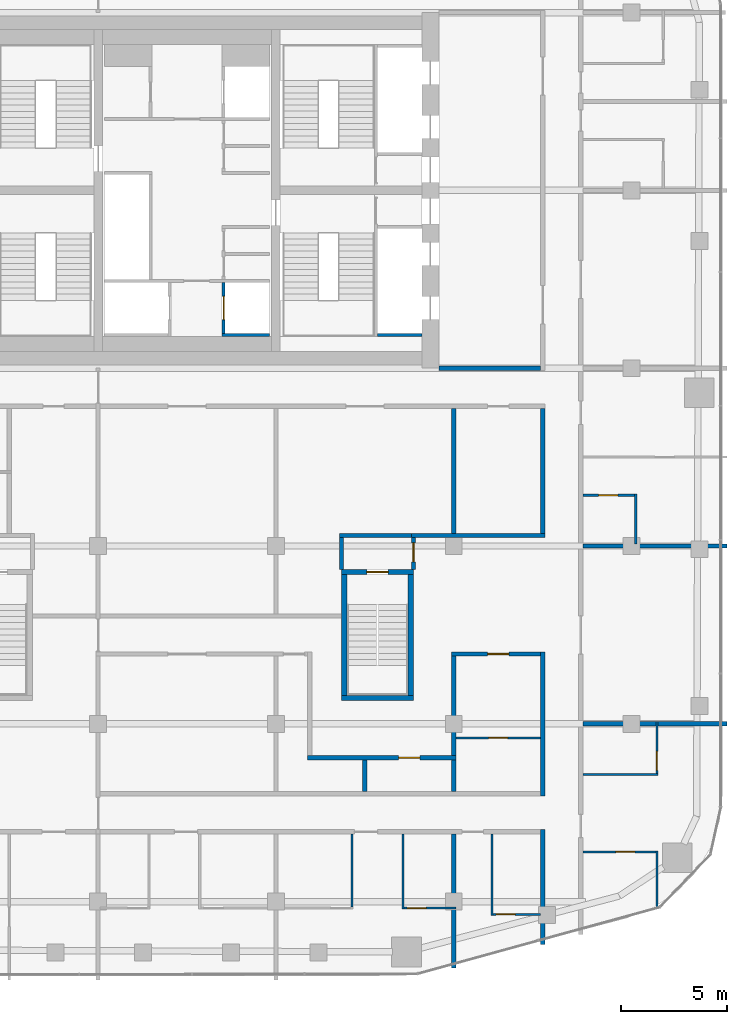
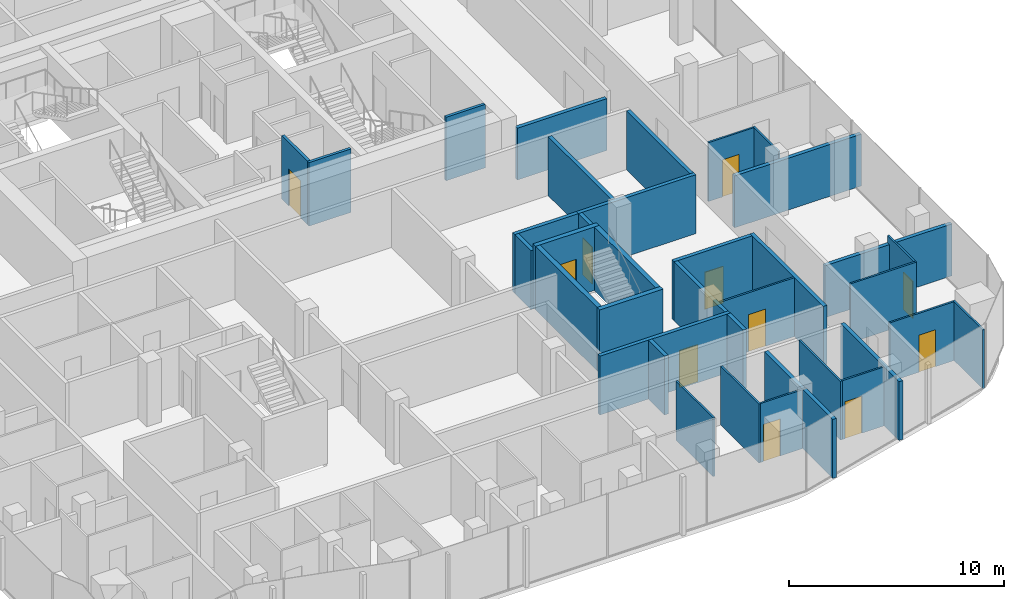
# One storey, part 16 of 21: 36 walls, 11 doors, 11 openings.
"""IFC4 building model written with IfcOpenShell, lengths in metres."""

import ifcopenshell
import ifcopenshell.guid

model = None  # the IFC model being written
_history = None  # IfcOwnerHistory: only IFC2X3 demands one
_inside = {}  # id of a spatial element -> (the spatial element, [elements in it])
_under = {}  # id of a project, library or spatial element -> (it, [spatial elements below it])
_declared = {}  # id of a project -> (the project, [libraries it declares])
_typed = {}  # id of a type object -> (the type object, [elements of that type])
_made_of = {}  # id of a material, layer set ... -> (it, [elements and type objects made of it])


def new_model(schema):
    """Start an empty IFC model of exactly this schema.

    Asked for "IFC4X3", IfcOpenShell would pick the latest addendum, in which some entities
    have other attributes; the version numbers below select the first issue.
    IFC2X3 requires an IfcOwnerHistory on every rooted entity: one is made here for all.
    """
    global model, _history
    if schema == "IFC4X3":
        model = ifcopenshell.file(schema_version=(4, 3, 0, 0))
    else:
        model = ifcopenshell.file(schema=schema)
    _inside.clear()
    _under.clear()
    _declared.clear()
    _typed.clear()
    _made_of.clear()
    _history = None
    if model.schema == "IFC2X3":
        org = make("IfcOrganization", Name="unknown")
        user = make(
            "IfcPersonAndOrganization",
            ThePerson=make("IfcPerson", FamilyName="unknown"),
            TheOrganization=org,
        )
        app = make(
            "IfcApplication",
            ApplicationDeveloper=org,
            Version="unknown",
            ApplicationFullName="unknown",
            ApplicationIdentifier="unknown",
        )
        _history = make(
            "IfcOwnerHistory",
            OwningUser=user,
            OwningApplication=app,
            ChangeAction="ADDED",
            CreationDate=0,
        )
    return model


def make(cls, **values):
    """One entity of the class cls with the attributes given. An attribute that is None is left unset."""
    return model.create_entity(
        cls, **{name: value for name, value in values.items() if value is not None}
    )


def rooted(cls, **values):
    """An entity with a GlobalId (a new one), such as an element, a storey or a relation."""
    return make(cls, GlobalId=ifcopenshell.guid.new(), OwnerHistory=_history, **values)


def si_unit(unit_type, name, prefix=None):
    """IfcSIUnit, for example si_unit("LENGTHUNIT", "METRE", prefix="MILLI")."""
    return make("IfcSIUnit", UnitType=unit_type, Prefix=prefix, Name=name)


def assignment(units):
    """IfcUnitAssignment: the units of a project."""
    return None if units is None else make("IfcUnitAssignment", Units=units)


def point(xyz):
    """IfcCartesianPoint."""
    return None if xyz is None else make("IfcCartesianPoint", Coordinates=xyz)


def direction(xyz):
    """IfcDirection."""
    return None if xyz is None else make("IfcDirection", DirectionRatios=xyz)


def frame(location, z_axis=None, x_axis=None):
    """IfcAxis2Placement3D, a coordinate frame: its origin and axes. An axis left out is left unset."""
    return make(
        "IfcAxis2Placement3D",
        Location=point(location),
        Axis=direction(z_axis),
        RefDirection=direction(x_axis),
    )


def frame_2d(location, x_axis=None):
    """IfcAxis2Placement2D, a coordinate frame in the plane: its origin and x axis."""
    return make(
        "IfcAxis2Placement2D", Location=point(location), RefDirection=direction(x_axis)
    )


def origin():
    """The frame at (0, 0, 0) with its axes left unset."""
    return frame((0.0, 0.0, 0.0))


def place(relative_to, where):
    """IfcLocalPlacement: puts the frame where relative to a parent placement (None: the world)."""
    return make(
        "IfcLocalPlacement", PlacementRelTo=relative_to, RelativePlacement=where
    )


def context(
    kind, dimensions, precision=None, world=None, true_north=None, identifier=None
):
    """IfcGeometricRepresentationContext, for example the 3D "Model" context."""
    return make(
        "IfcGeometricRepresentationContext",
        ContextIdentifier=identifier,
        ContextType=kind,
        CoordinateSpaceDimension=dimensions,
        Precision=precision,
        WorldCoordinateSystem=world,
        TrueNorth=true_north,
    )


def subcontext(parent, identifier, kind, view, scale=None):
    """IfcGeometricRepresentationSubContext, for example "Body" below "Model"."""
    return make(
        "IfcGeometricRepresentationSubContext",
        ContextIdentifier=identifier,
        ContextType=kind,
        ParentContext=parent,
        TargetScale=scale,
        TargetView=view,
    )


def project(units=None, contexts=None):
    """IfcProject with its units and contexts."""
    return rooted(
        "IfcProject",
        Name="project",
        RepresentationContexts=contexts,
        UnitsInContext=assignment(units),
    )


def spatial(cls, under=None, at=None, **own):
    """A site, building, storey or space (cls), placed at a placement, below another one or the project."""
    s = rooted(cls, ObjectPlacement=at, **own)
    if under is not None:
        _under.setdefault(under.id(), (under, []))[1].append(s)
    return s


def profile(cls, at=None, kind="AREA", **sizes):
    """A parametric profile (cls). Its sizes go by their IFC names, for example OverallWidth=200.0."""
    return make(cls, ProfileType=kind, Position=at, **sizes)


def rectangle(**sizes):
    """IfcRectangleProfileDef."""
    return profile("IfcRectangleProfileDef", **sizes)


def extrude(swept, where, along, depth):
    """IfcExtrudedAreaSolid: the profile swept, set in the frame where, extruded along a direction by depth."""
    return make(
        "IfcExtrudedAreaSolid",
        SweptArea=swept,
        Position=where,
        ExtrudedDirection=direction(along),
        Depth=depth,
    )


def shape(context_of_items, identifier, shape_type, items):
    """IfcShapeRepresentation: the items that make up one representation, for example the "Body"."""
    return make(
        "IfcShapeRepresentation",
        ContextOfItems=context_of_items,
        RepresentationIdentifier=identifier,
        RepresentationType=shape_type,
        Items=items,
    )


def material(Name=None, Category=None):
    """IfcMaterial."""
    return make("IfcMaterial", Name=Name, Category=Category)


def layer(
    of_material, thickness, ventilated=None, Name=None, Category=None, Priority=None
):
    """IfcMaterialLayer: one layer of a wall or slab, of a material (None: an air gap)."""
    return make(
        "IfcMaterialLayer",
        Material=of_material,
        LayerThickness=thickness,
        IsVentilated=ventilated,
        Name=Name,
        Category=Category,
        Priority=Priority,
    )


def layer_set(layers, Name=None):
    """IfcMaterialLayerSet."""
    return make("IfcMaterialLayerSet", MaterialLayers=layers, LayerSetName=Name)


def made_of(thing, what):
    """Note that an element or type object is made of a material, layer set ...; save() writes the relation."""
    if what is not None:
        _made_of.setdefault(what.id(), (what, []))[1].append(thing)
    return thing


def type_object(cls, material=None, **own):
    """A type object (cls), such as IfcWallType, which elements share."""
    return made_of(rooted(cls, **own), material)


def element(
    cls,
    number,
    at=None,
    inside=None,
    cuts=None,
    type_object=None,
    material=None,
    context=None,
    identifier="Body",
    shape_type=None,
    held_by="IfcProductDefinitionShape",
    body=None,
    shapes=None,
    **own,
):
    """One element of the class cls, such as IfcWall. Its Tag is "e" and its number.

    at: its placement. inside: the storey or other place that contains it. cuts: it is an
    opening in that element (IfcRelVoidsElement). A single representation is given by context,
    identifier, shape_type and body (its items); several are given by shapes. held_by: the class
    of the entity that holds the representations. save() writes the other relations.
    """
    e = rooted(cls, Tag="e%d" % number, ObjectPlacement=at, **own)
    if body is not None:
        shapes = [shape(context, identifier, shape_type, body)]
    if shapes is not None:
        e.Representation = make(held_by, Representations=shapes)
    if inside is not None:
        _inside.setdefault(inside.id(), (inside, []))[1].append(e)
    if cuts is not None:
        rooted(
            "IfcRelVoidsElement", RelatingBuildingElement=cuts, RelatedOpeningElement=e
        )
    if type_object is not None:
        _typed.setdefault(type_object.id(), (type_object, []))[1].append(e)
    return made_of(e, material)


def fill(opening, filler):
    """IfcRelFillsElement: the door or window that sits in an opening."""
    return rooted(
        "IfcRelFillsElement",
        RelatingOpeningElement=opening,
        RelatedBuildingElement=filler,
    )


def aggregate(whole, parts):
    """IfcRelAggregates: a whole, such as a stair, and the parts it consists of."""
    return rooted("IfcRelAggregates", RelatingObject=whole, RelatedObjects=parts)


def save(model, path):
    """Write the relations noted so far, then the file.

    IfcRelAggregates (storeys below a building ...), IfcRelContainedInSpatialStructure (elements
    in a storey), IfcRelDefinesByType, IfcRelAssociatesMaterial and IfcRelDeclares: one each for
    every whole, place, type object, material and project.
    """
    for whole, parts in _under.values():
        aggregate(whole, parts)
    for where, things in _inside.values():
        rooted(
            "IfcRelContainedInSpatialStructure",
            RelatedElements=things,
            RelatingStructure=where,
        )
    for kind, things in _typed.values():
        rooted("IfcRelDefinesByType", RelatedObjects=things, RelatingType=kind)
    for what, things in _made_of.values():
        rooted("IfcRelAssociatesMaterial", RelatedObjects=things, RelatingMaterial=what)
    for by, libraries in _declared.values():
        rooted("IfcRelDeclares", RelatingContext=by, RelatedDefinitions=libraries)
    model.write(path)


model = new_model("IFC4")

# Units and contexts
model_context = context("Model", 3, precision=1e-05, world=origin(), true_north=direction((0.0, 1.0)))
body_context = subcontext(model_context, "Body", "Model", "MODEL_VIEW")
ifc_project = project(units=[si_unit("LENGTHUNIT", "METRE"), si_unit("AREAUNIT", "SQUARE_METRE"), si_unit("VOLUMEUNIT", "CUBIC_METRE"), si_unit("PLANEANGLEUNIT", "RADIAN"), si_unit("MASSUNIT", "GRAM", prefix="KILO")], contexts=[model_context])

# Site, building, storey
site_placement = place(None, origin())
site = spatial("IfcSite", under=ifc_project, at=site_placement, CompositionType="ELEMENT")
building_placement = place(site_placement, origin())
building = spatial("IfcBuilding", under=site, at=building_placement, Name="Marenta Gate Hotel Tower", CompositionType="ELEMENT")
storey_placement = place(building_placement, frame((0.0, 0.0, 202.10009765625)))
storey = spatial("IfcBuildingStorey", under=building, at=storey_placement, Name="L46", CompositionType="ELEMENT", Elevation=202.10009765625)

# Walls
ifc_material_1 = material(Name="Concrete blockwork", Category="masonry")
ifc_layer_1 = layer(ifc_material_1, 0.199951171875)
ifc_layer_set_1 = layer_set([ifc_layer_1], Name="Concrete blockwork")
wall_type_1 = type_object("IfcWallType", Name="Core boundary wall 200 REI 180", PredefinedType="PARTITIONING", material=ifc_layer_set_1)
wall_1_placement = place(storey_placement, frame((11.89990234375, 0.0, 0.0), z_axis=(0.0, 0.0, 1.0), x_axis=(1.0, 0.0, 0.0)))
element("IfcWall", 1, at=wall_1_placement, inside=storey, type_object=wall_type_1, Name="L46-CP-EW-ES", PredefinedType="PARTITIONING", context=body_context, shape_type="SweptSolid", body=[
    extrude(rectangle(XDim=4.800048828125, YDim=0.199951171875, at=frame_2d((2.39990234375, 0.0))), origin(), (0.0, 0.0, 1.0), 2.93994140625),
])
ifc_material_2 = material(Name="Concrete C40", Category="concrete")
ifc_layer_2 = layer(ifc_material_2, 0.14990234375)
ifc_layer_set_2 = layer_set([ifc_layer_2], Name="Concrete C40")
wall_type_2 = type_object("IfcWallType", Name="Core shaft wall 150 REI 180", PredefinedType="SHEAR", material=ifc_layer_set_2)
wall_2_placement = place(storey_placement, frame((9.0, 1.574951171875, 0.0), z_axis=(0.0, 0.0, 1.0), x_axis=(1.0, 0.0, 0.0)))
element("IfcWall", 2, at=wall_2_placement, inside=storey, type_object=wall_type_2, Name="L46-SHF-SW-ES-5", PredefinedType="SHEAR", context=body_context, shape_type="SweptSolid", body=[
    extrude(rectangle(XDim=2.10009765625, YDim=0.14990234375, at=frame_2d((1.050048828125, 0.0))), origin(), (0.0, 0.0, 1.0), 3.599853515625),
])

# Wall, opening, door
wall_3_placement = place(storey_placement, frame((1.72509765625, 1.64990234375, 0.0), z_axis=(0.0, 0.0, 1.0), x_axis=(0.0, 1.0, 0.0)))
wall_3 = element("IfcWall", 3, at=wall_3_placement, inside=storey, type_object=wall_type_2, Name="L46-SHF-CE-S-ls", PredefinedType="SHEAR", context=body_context, shape_type="SweptSolid", body=[
    extrude(rectangle(XDim=2.400146484375, YDim=0.14990234375, at=frame_2d((1.2001953125, 0.0))), origin(), (0.0, 0.0, 1.0), 3.599853515625),
])
opening_1_placement = place(wall_3_placement, frame((0.64990234375, 0.0, 0.0)))
opening_1 = element("IfcOpeningElement", 4, at=opening_1_placement, cuts=wall_3, Name="Opening LD-SV1", PredefinedType="OPENING", context=body_context, shape_type="SweptSolid", body=[
    extrude(rectangle(XDim=1.10009765625, YDim=2.10009765625, at=frame_2d((0.550048828125, 1.050048828125))), frame((0.0, 0.074951171875, 0.0), z_axis=(0.0, -1.0, 0.0), x_axis=(1.0, 0.0, 0.0)), (0.0, 0.0, 1.0), 0.14990234375),
])
ifc_material_3 = material(Name="Steel", Category="steel")
door_type_1 = type_object("IfcDoorType", Name="Core lift landing door 1100x2100 E 60", OperationType="SLIDING_TO_LEFT", PredefinedType="DOOR", material=ifc_material_3)
door_1_placement = place(opening_1_placement, origin())
door_1 = element("IfcDoor", 5, at=door_1_placement, inside=storey, type_object=door_type_1, Name="LD-SV1", OperationType="SLIDING_TO_LEFT", OverallHeight=2.10009765625, OverallWidth=1.10009765625, PredefinedType="DOOR", context=body_context, shape_type="SweptSolid", body=[
    extrude(rectangle(XDim=1.10009765625, YDim=2.10009765625, at=frame_2d((0.550048828125, 1.050048828125))), frame((0.0, 0.02490234375, 0.0), z_axis=(0.0, -1.0, 0.0), x_axis=(1.0, 0.0, 0.0)), (0.0, 0.0, 1.0), 0.050048828125),
])
fill(opening_1, door_1)

# Walls
wall_4_placement = place(storey_placement, frame((1.64990234375, 1.574951171875, 0.0), z_axis=(0.0, 0.0, 1.0), x_axis=(1.0, 0.0, 0.0)))
element("IfcWall", 6, at=wall_4_placement, inside=storey, type_object=wall_type_2, Name="L46-SHF-CE-S-bot", PredefinedType="SHEAR", context=body_context, shape_type="SweptSolid", body=[
    extrude(rectangle(XDim=2.25, YDim=0.14990234375, at=frame_2d((1.125, 0.0))), origin(), (0.0, 0.0, 1.0), 3.599853515625),
])
ifc_material_4 = material(Name="Concrete C40", Category="concrete")
ifc_layer_3 = layer(ifc_material_4, 0.25)
ifc_layer_set_3 = layer_set([ifc_layer_3], Name="Concrete C40")
wall_type_3 = type_object("IfcWallType", Name="Remote stair enclosure wall 250 REI 180", PredefinedType="SHEAR", material=ifc_layer_set_3)
wall_5_placement = place(storey_placement, frame((7.300048828125, -15.574951171875, 0.099853515625), z_axis=(0.0, 0.0, 1.0), x_axis=(1.0, 0.0, 0.0)))
element("IfcWall", 7, at=wall_5_placement, inside=storey, type_object=wall_type_3, Name="L46-RS-Z3-2-W1", PredefinedType="SHEAR", context=body_context, shape_type="SweptSolid", body=[
    extrude(rectangle(XDim=3.39990234375, YDim=0.25, at=frame_2d((1.699951171875, 0.0))), origin(), (0.0, 0.0, 1.0), 3.60009765625),
])

# Wall, opening, door
wall_6_placement = place(storey_placement, frame((7.300048828125, -9.625, 0.099853515625), z_axis=(0.0, 0.0, 1.0), x_axis=(1.0, 0.0, 0.0)))
wall_6 = element("IfcWall", 8, at=wall_6_placement, inside=storey, type_object=wall_type_3, Name="L46-RS-Z3-2-W2", PredefinedType="SHEAR", context=body_context, shape_type="SweptSolid", body=[
    extrude(rectangle(XDim=3.39990234375, YDim=0.25, at=frame_2d((1.699951171875, 0.0))), origin(), (0.0, 0.0, 1.0), 3.60009765625),
])
opening_2_placement = place(wall_6_placement, frame((1.199951171875, 0.0, 0.0)))
opening_2 = element("IfcOpeningElement", 9, at=opening_2_placement, cuts=wall_6, Name="Opening VD", PredefinedType="OPENING", context=body_context, shape_type="SweptSolid", body=[
    extrude(rectangle(XDim=1.0, YDim=2.10009765625, at=frame_2d((0.5, 1.050048828125))), frame((0.0, 0.125, 0.0), z_axis=(0.0, -1.0, 0.0), x_axis=(1.0, 0.0, 0.0)), (0.0, 0.0, 1.0), 0.25),
])
ifc_material_5 = material(Name="Steel", Category="steel")
door_type_2 = type_object("IfcDoorType", Name="Stair vestibule door 1000x2100 FD60", OperationType="SINGLE_SWING_LEFT", PredefinedType="DOOR", material=ifc_material_5)
door_2_placement = place(opening_2_placement, origin())
door_2 = element("IfcDoor", 10, at=door_2_placement, inside=storey, type_object=door_type_2, Name="VD", OperationType="SINGLE_SWING_LEFT", OverallHeight=2.10009765625, OverallWidth=1.0, PredefinedType="DOOR", context=body_context, shape_type="SweptSolid", body=[
    extrude(rectangle(XDim=1.0, YDim=2.10009765625, at=frame_2d((0.5, 1.050048828125))), frame((0.0, 0.02490234375, 0.0), z_axis=(0.0, -1.0, 0.0), x_axis=(1.0, 0.0, 0.0)), (0.0, 0.0, 1.0), 0.050048828125),
])
fill(opening_2, door_2)

# Walls
for number, where, z_axis, x_axis, name in (
    (11, (7.425048828125, -15.449951171875, 0.099853515625), (0.0, 0.0, 1.0), (0.0, 1.0, 0.0), "L46-RS-Z3-2-W3"),
    (12, (10.574951171875, -15.449951171875, 0.099853515625), (0.0, 0.0, 1.0), (0.0, 1.0, 0.0), "L46-RS-Z3-2-W4"),
):
    element("IfcWall", number, at=place(storey_placement, frame(where, z_axis=z_axis, x_axis=x_axis)), inside=storey, type_object=wall_type_3, Name=name, PredefinedType="SHEAR", context=body_context, shape_type="SweptSolid", body=[
        extrude(rectangle(XDim=5.699951171875, YDim=0.25, at=frame_2d((2.85009765625, 0.0))), origin(), (0.0, 0.0, 1.0), 3.60009765625),
    ])
ifc_material_6 = material(Name="Concrete blockwork", Category="masonry")
ifc_layer_4 = layer(ifc_material_6, 0.199951171875)
ifc_layer_set_4 = layer_set([ifc_layer_4], Name="Concrete blockwork")
wall_type_4 = type_object("IfcWallType", Name="Room corridor wall 200 EI 120", PredefinedType="PARTITIONING", material=ifc_layer_set_4)
wall_7_placement = place(storey_placement, frame((16.800048828125, -20.199951171875, 0.0), z_axis=(0.0, 0.0, 1.0), x_axis=(0.0, 1.0, 0.0)))
element("IfcWall", 13, at=wall_7_placement, inside=storey, type_object=wall_type_4, Name="L46-PTN-W024", PredefinedType="PARTITIONING", context=body_context, shape_type="SweptSolid", body=[
    extrude(rectangle(XDim=6.800048828125, YDim=0.199951171875, at=frame_2d((3.39990234375, 0.0))), origin(), (0.0, 0.0, 1.0), 3.33984375),
])

# Wall, opening, door
wall_8_placement = place(storey_placement, frame((12.5, -13.5, 0.0), z_axis=(0.0, 0.0, 1.0), x_axis=(1.0, 0.0, 0.0)))
wall_8 = element("IfcWall", 14, at=wall_8_placement, inside=storey, type_object=wall_type_4, Name="L46-PTN-W033", PredefinedType="PARTITIONING", context=body_context, shape_type="SweptSolid", body=[
    extrude(rectangle(XDim=4.199951171875, YDim=0.199951171875, at=frame_2d((2.10009765625, 0.0))), origin(), (0.0, 0.0, 1.0), 3.33984375),
])
opening_3_placement = place(wall_8_placement, frame((1.699951171875, 0.0, 0.0)))
opening_3 = element("IfcOpeningElement", 15, at=opening_3_placement, cuts=wall_8, Name="Opening G16-14", PredefinedType="OPENING", context=body_context, shape_type="SweptSolid", body=[
    extrude(rectangle(XDim=1.0, YDim=2.10009765625, at=frame_2d((0.5, 1.050048828125))), frame((0.0, 0.10009765625, 0.0), z_axis=(0.0, -1.0, 0.0), x_axis=(1.0, 0.0, 0.0)), (0.0, 0.0, 1.0), 0.199951171875),
])
ifc_material_7 = material(Name="Hollow steel door set", Category="steel")
door_type_3 = type_object("IfcDoorType", Name="Room service door 1000x2100 EI 60", OperationType="NOTDEFINED", PredefinedType="DOOR", material=ifc_material_7)
door_3_placement = place(opening_3_placement, origin())
door_3 = element("IfcDoor", 16, at=door_3_placement, inside=storey, type_object=door_type_3, Name="L46-PD-D014", OperationType="SINGLE_SWING_RIGHT", OverallHeight=2.10009765625, OverallWidth=1.0, PredefinedType="DOOR", context=body_context, shape_type="SweptSolid", body=[
    extrude(rectangle(XDim=1.0, YDim=2.10009765625, at=frame_2d((0.5, 1.050048828125))), frame((0.0, 0.02490234375, 0.0), z_axis=(0.0, -1.0, 0.0), x_axis=(1.0, 0.0, 0.0)), (0.0, 0.0, 1.0), 0.050048828125),
])
fill(opening_3, door_3)

# Wall
wall_9_placement = place(storey_placement, frame((12.60009765625, -18.300048828125, 0.0), z_axis=(0.0, 0.0, 1.0), x_axis=(0.0, 1.0, 0.0)))
element("IfcWall", 17, at=wall_9_placement, inside=storey, type_object=wall_type_4, Name="L46-PTN-W038", PredefinedType="PARTITIONING", context=body_context, shape_type="SweptSolid", body=[
    extrude(rectangle(XDim=4.699951171875, YDim=0.199951171875, at=frame_2d((2.35009765625, 0.0))), origin(), (0.0, 0.0, 1.0), 3.33984375),
])

# Wall, opening, door
ifc_material_8 = material(Name="Gypsum board on steel stud", Category="steel")
ifc_layer_5 = layer(ifc_material_8, 0.199951171875)
ifc_layer_set_5 = layer_set([ifc_layer_5], Name="Gypsum board on steel stud")
wall_type_5 = type_object("IfcWallType", Name="Room corridor wall 200 EI 60", PredefinedType="PARTITIONING", material=ifc_layer_set_5)
wall_10_placement = place(storey_placement, frame((5.699951171875, -18.39990234375, 0.0), z_axis=(0.0, 0.0, 1.0), x_axis=(1.0, 0.0, 0.0)))
wall_10 = element("IfcWall", 18, at=wall_10_placement, inside=storey, type_object=wall_type_5, Name="L46-PTN-W020", PredefinedType="PARTITIONING", context=body_context, shape_type="SweptSolid", body=[
    extrude(rectangle(XDim=7.0, YDim=0.199951171875, at=frame_2d((3.5, 0.0))), origin(), (0.0, 0.0, 1.0), 3.33984375),
])
opening_4_placement = place(wall_10_placement, frame((4.300048828125, 0.0, 0.0)))
opening_4 = element("IfcOpeningElement", 19, at=opening_4_placement, cuts=wall_10, Name="Opening G16-13", PredefinedType="OPENING", context=body_context, shape_type="SweptSolid", body=[
    extrude(rectangle(XDim=1.0, YDim=2.10009765625, at=frame_2d((0.5, 1.050048828125))), frame((0.0, 0.10009765625, 0.0), z_axis=(0.0, -1.0, 0.0), x_axis=(1.0, 0.0, 0.0)), (0.0, 0.0, 1.0), 0.199951171875),
])
ifc_material_9 = material(Name="Timber door leaf", Category="wood")
door_type_4 = type_object("IfcDoorType", Name="Room amenity door 1000x2100 EI 30", OperationType="NOTDEFINED", PredefinedType="DOOR", material=ifc_material_9)
door_4_placement = place(opening_4_placement, origin())
door_4 = element("IfcDoor", 20, at=door_4_placement, inside=storey, type_object=door_type_4, Name="L46-PD-D013", OperationType="SINGLE_SWING_RIGHT", OverallHeight=2.10009765625, OverallWidth=1.0, PredefinedType="DOOR", context=body_context, shape_type="SweptSolid", body=[
    extrude(rectangle(XDim=1.0, YDim=2.10009765625, at=frame_2d((0.5, 1.050048828125))), frame((0.0, 0.02490234375, 0.0), z_axis=(0.0, -1.0, 0.0), x_axis=(1.0, 0.0, 0.0)), (0.0, 0.0, 1.0), 0.050048828125),
])
fill(opening_4, door_4)

# Walls
wall_11_placement = place(storey_placement, frame((16.800048828125, -27.22900390625, 0.0), z_axis=(0.0, 0.0, 1.0), x_axis=(0.0, 1.0, 0.0)))
element("IfcWall", 21, at=wall_11_placement, inside=storey, type_object=wall_type_5, Name="L46-PTN-W023", PredefinedType="PARTITIONING", context=body_context, shape_type="SweptSolid", body=[
    extrude(rectangle(XDim=5.428955078125, YDim=0.199951171875, at=frame_2d((2.71435546875, 0.0))), origin(), (0.0, 0.0, 1.0), 3.33984375),
])
wall_12_placement = place(storey_placement, frame((16.800048828125, -7.800048828125, 0.0), z_axis=(0.0, 0.0, 1.0), x_axis=(0.0, 1.0, 0.0)))
element("IfcWall", 22, at=wall_12_placement, inside=storey, type_object=wall_type_5, Name="L46-PTN-W025", PredefinedType="PARTITIONING", context=body_context, shape_type="SweptSolid", body=[
    extrude(rectangle(XDim=5.900146484375, YDim=0.199951171875, at=frame_2d((2.9501953125, 0.0))), origin(), (0.0, 0.0, 1.0), 3.33984375),
])
wall_13_placement = place(storey_placement, frame((10.60009765625, -7.89990234375, 0.0), z_axis=(0.0, 0.0, 1.0), x_axis=(1.0, 0.0, 0.0)))
element("IfcWall", 23, at=wall_13_placement, inside=storey, type_object=wall_type_5, Name="L46-PTN-W048", PredefinedType="PARTITIONING", context=body_context, shape_type="SweptSolid", body=[
    extrude(rectangle(XDim=6.2998046875, YDim=0.199951171875, at=frame_2d((3.14990234375, 0.0))), origin(), (0.0, 0.0, 1.0), 3.33984375),
])

# Wall, opening, door
ifc_material_10 = material(Name="Concrete blockwork", Category="masonry")
ifc_layer_6 = layer(ifc_material_10, 0.199951171875)
ifc_layer_set_6 = layer_set([ifc_layer_6], Name="Concrete blockwork")
wall_type_6 = type_object("IfcWallType", Name="Room corridor wall 200 REI 180", PredefinedType="PARTITIONING", material=ifc_layer_set_6)
wall_14_placement = place(storey_placement, frame((10.699951171875, -9.5, 0.0), z_axis=(0.0, 0.0, 1.0), x_axis=(0.0, 1.0, 0.0)))
wall_14 = element("IfcWall", 24, at=wall_14_placement, inside=storey, type_object=wall_type_6, Name="L46-PTN-W041", PredefinedType="PARTITIONING", context=body_context, shape_type="SweptSolid", body=[
    extrude(rectangle(XDim=1.5, YDim=0.199951171875, at=frame_2d((0.75, 0.0))), origin(), (0.0, 0.0, 1.0), 3.33984375),
])
opening_5_placement = place(wall_14_placement, frame((0.35009765625, 0.0, 0.0)))
opening_5 = element("IfcOpeningElement", 25, at=opening_5_placement, cuts=wall_14, Name="Opening G16-65", PredefinedType="OPENING", context=body_context, shape_type="SweptSolid", body=[
    extrude(rectangle(XDim=0.89990234375, YDim=2.10009765625, at=frame_2d((0.449951171875, 1.050048828125))), frame((0.0, 0.10009765625, 0.0), z_axis=(0.0, -1.0, 0.0), x_axis=(1.0, 0.0, 0.0)), (0.0, 0.0, 1.0), 0.199951171875),
])
ifc_material_11 = material(Name="Hollow steel door set", Category="steel")
door_type_5 = type_object("IfcDoorType", Name="Stair vestibule door 900x2100 EI 60", OperationType="NOTDEFINED", PredefinedType="DOOR", material=ifc_material_11)
door_5_placement = place(opening_5_placement, origin())
door_5 = element("IfcDoor", 26, at=door_5_placement, inside=storey, type_object=door_type_5, Name="L46-PD-D065", OperationType="SINGLE_SWING_RIGHT", OverallHeight=2.10009765625, OverallWidth=0.89990234375, PredefinedType="DOOR", context=body_context, shape_type="SweptSolid", body=[
    extrude(rectangle(XDim=0.89990234375, YDim=2.10009765625, at=frame_2d((0.449951171875, 1.050048828125))), frame((0.0, 0.02490234375, 0.0), z_axis=(0.0, -1.0, 0.0), x_axis=(1.0, 0.0, 0.0)), (0.0, 0.0, 1.0), 0.050048828125),
])
fill(opening_5, door_5)

ifc_material_12 = material(Name="Gypsum board on steel stud", Category="steel")
ifc_layer_7 = layer(ifc_material_12, 0.10009765625)
ifc_layer_set_7 = layer_set([ifc_layer_7], Name="Gypsum board on steel stud")
wall_type_7 = type_object("IfcWallType", Name="Room partition 100", PredefinedType="PARTITIONING", material=ifc_layer_set_7)
wall_15_placement = place(storey_placement, frame((14.449951171875, -25.800048828125, 0.0), z_axis=(0.0, 0.0, 1.0), x_axis=(1.0, 0.0, 0.0)))
wall_15 = element("IfcWall", 27, at=wall_15_placement, inside=storey, type_object=wall_type_7, Name="L46-PTN-W001", PredefinedType="PARTITIONING", context=body_context, shape_type="SweptSolid", body=[
    extrude(rectangle(XDim=2.25, YDim=0.10009765625, at=frame_2d((1.125, 0.0))), origin(), (0.0, 0.0, 1.0), 3.33984375),
])
opening_6_placement = place(wall_15_placement, frame((0.14990234375, 0.0, 0.0)))
opening_6 = element("IfcOpeningElement", 28, at=opening_6_placement, cuts=wall_15, Name="Opening G16-45", PredefinedType="OPENING", context=body_context, shape_type="SweptSolid", body=[
    extrude(rectangle(XDim=0.89990234375, YDim=2.10009765625, at=frame_2d((0.449951171875, 1.050048828125))), frame((0.0, 0.050048828125, 0.0), z_axis=(0.0, -1.0, 0.0), x_axis=(1.0, 0.0, 0.0)), (0.0, 0.0, 1.0), 0.10009765625),
])
ifc_material_13 = material(Name="Timber door leaf", Category="wood")
door_type_6 = type_object("IfcDoorType", Name="Guest bathroom door 900x2100", OperationType="NOTDEFINED", PredefinedType="DOOR", material=ifc_material_13)
door_6_placement = place(opening_6_placement, origin())
door_6 = element("IfcDoor", 29, at=door_6_placement, inside=storey, type_object=door_type_6, Name="L46-PD-D045", OperationType="SINGLE_SWING_LEFT", OverallHeight=2.10009765625, OverallWidth=0.89990234375, PredefinedType="DOOR", context=body_context, shape_type="SweptSolid", body=[
    extrude(rectangle(XDim=0.89990234375, YDim=2.10009765625, at=frame_2d((0.449951171875, 1.050048828125))), frame((0.0, 0.02490234375, 0.0), z_axis=(0.0, -1.0, 0.0), x_axis=(1.0, 0.0, 0.0)), (0.0, 0.0, 1.0), 0.050048828125),
])
fill(opening_6, door_6)

wall_16_placement = place(storey_placement, frame((10.25, -25.5, 0.0), z_axis=(0.0, 0.0, 1.0), x_axis=(1.0, 0.0, 0.0)))
wall_16 = element("IfcWall", 30, at=wall_16_placement, inside=storey, type_object=wall_type_7, Name="L46-PTN-W004", PredefinedType="PARTITIONING", context=body_context, shape_type="SweptSolid", body=[
    extrude(rectangle(XDim=2.449951171875, YDim=0.10009765625, at=frame_2d((1.22509765625, 0.0))), origin(), (0.0, 0.0, 1.0), 3.33984375),
])
opening_7_placement = place(wall_16_placement, frame((0.14990234375, 0.0, 0.0)))
opening_7 = element("IfcOpeningElement", 31, at=opening_7_placement, cuts=wall_16, Name="Opening G16-43", PredefinedType="OPENING", context=body_context, shape_type="SweptSolid", body=[
    extrude(rectangle(XDim=0.89990234375, YDim=2.10009765625, at=frame_2d((0.449951171875, 1.050048828125))), frame((0.0, 0.050048828125, 0.0), z_axis=(0.0, -1.0, 0.0), x_axis=(1.0, 0.0, 0.0)), (0.0, 0.0, 1.0), 0.10009765625),
])
ifc_material_14 = material(Name="Timber door leaf", Category="wood")
door_type_7 = type_object("IfcDoorType", Name="Room inner door 900x2100", OperationType="NOTDEFINED", PredefinedType="DOOR", material=ifc_material_14)
door_7_placement = place(opening_7_placement, origin())
door_7 = element("IfcDoor", 32, at=door_7_placement, inside=storey, type_object=door_type_7, Name="L46-PD-D043", OperationType="SINGLE_SWING_LEFT", OverallHeight=2.10009765625, OverallWidth=0.89990234375, PredefinedType="DOOR", context=body_context, shape_type="SweptSolid", body=[
    extrude(rectangle(XDim=0.89990234375, YDim=2.10009765625, at=frame_2d((0.449951171875, 1.050048828125))), frame((0.0, 0.02490234375, 0.0), z_axis=(0.0, -1.0, 0.0), x_axis=(1.0, 0.0, 0.0)), (0.0, 0.0, 1.0), 0.050048828125),
])
fill(opening_7, door_7)

wall_17_placement = place(storey_placement, frame((18.699951171875, -22.85107421875, 0.0), z_axis=(0.0, 0.0, 1.0), x_axis=(1.0, 0.0, 0.0)))
wall_17 = element("IfcWall", 33, at=wall_17_placement, inside=storey, type_object=wall_type_7, Name="L46-PTN-W008", PredefinedType="PARTITIONING", context=body_context, shape_type="SweptSolid", body=[
    extrude(rectangle(XDim=3.449951171875, YDim=0.10009765625, at=frame_2d((1.72509765625, 0.0))), origin(), (0.0, 0.0, 1.0), 3.33984375),
])
opening_8_placement = place(wall_17_placement, frame((1.56005859375, 0.0, 0.0)))
opening_8 = element("IfcOpeningElement", 34, at=opening_8_placement, cuts=wall_17, Name="Opening G16-17", PredefinedType="OPENING", context=body_context, shape_type="SweptSolid", body=[
    extrude(rectangle(XDim=0.89990234375, YDim=2.10009765625, at=frame_2d((0.449951171875, 1.050048828125))), frame((0.0, 0.050048828125, 0.0), z_axis=(0.0, -1.0, 0.0), x_axis=(1.0, 0.0, 0.0)), (0.0, 0.0, 1.0), 0.10009765625),
])
door_8_placement = place(opening_8_placement, origin())
door_8 = element("IfcDoor", 35, at=door_8_placement, inside=storey, type_object=door_type_6, Name="L46-PD-D017", OperationType="SINGLE_SWING_LEFT", OverallHeight=2.10009765625, OverallWidth=0.89990234375, PredefinedType="DOOR", context=body_context, shape_type="SweptSolid", body=[
    extrude(rectangle(XDim=0.89990234375, YDim=2.10009765625, at=frame_2d((0.449951171875, 1.050048828125))), frame((0.0, 0.02490234375, 0.0), z_axis=(0.0, -1.0, 0.0), x_axis=(1.0, 0.0, 0.0)), (0.0, 0.0, 1.0), 0.050048828125),
])
fill(opening_8, door_8)

# Wall
wall_18_placement = place(storey_placement, frame((22.199951171875, -25.552001953125, 0.0), z_axis=(0.0, 0.0, 1.0), x_axis=(0.0, 1.0, 0.0)))
element("IfcWall", 36, at=wall_18_placement, inside=storey, type_object=wall_type_7, Name="L46-PTN-W011", PredefinedType="PARTITIONING", context=body_context, shape_type="SweptSolid", body=[
    extrude(rectangle(XDim=2.7509765625, YDim=0.10009765625, at=frame_2d((1.37548828125, 0.0))), origin(), (0.0, 0.0, 1.0), 3.33984375),
])

# Wall, opening, door
wall_19_placement = place(storey_placement, frame((22.199951171875, -19.14990234375, 0.0), z_axis=(0.0, 0.0, 1.0), x_axis=(0.0, 1.0, 0.0)))
wall_19 = element("IfcWall", 37, at=wall_19_placement, inside=storey, type_object=wall_type_7, Name="L46-PTN-W012", PredefinedType="PARTITIONING", context=body_context, shape_type="SweptSolid", body=[
    extrude(rectangle(XDim=2.449951171875, YDim=0.10009765625, at=frame_2d((1.22509765625, 0.0))), origin(), (0.0, 0.0, 1.0), 3.33984375),
])
opening_9_placement = place(wall_19_placement, frame((0.14990234375, 0.0, 0.0)))
opening_9 = element("IfcOpeningElement", 38, at=opening_9_placement, cuts=wall_19, Name="Opening G16-18", PredefinedType="OPENING", context=body_context, shape_type="SweptSolid", body=[
    extrude(rectangle(XDim=0.89990234375, YDim=2.10009765625, at=frame_2d((0.449951171875, 1.050048828125))), frame((0.0, 0.050048828125, 0.0), z_axis=(0.0, -1.0, 0.0), x_axis=(1.0, 0.0, 0.0)), (0.0, 0.0, 1.0), 0.10009765625),
])
door_9_placement = place(opening_9_placement, origin())
door_9 = element("IfcDoor", 39, at=door_9_placement, inside=storey, type_object=door_type_7, Name="L46-PD-D018", OperationType="SINGLE_SWING_LEFT", OverallHeight=2.10009765625, OverallWidth=0.89990234375, PredefinedType="DOOR", context=body_context, shape_type="SweptSolid", body=[
    extrude(rectangle(XDim=0.89990234375, YDim=2.10009765625, at=frame_2d((0.449951171875, 1.050048828125))), frame((0.0, 0.02490234375, 0.0), z_axis=(0.0, -1.0, 0.0), x_axis=(1.0, 0.0, 0.0)), (0.0, 0.0, 1.0), 0.050048828125),
])
fill(opening_9, door_9)

# Walls
wall_20_placement = place(storey_placement, frame((21.199951171875, -8.300048828125, 0.0), z_axis=(0.0, 0.0, 1.0), x_axis=(0.0, 1.0, 0.0)))
element("IfcWall", 40, at=wall_20_placement, inside=storey, type_object=wall_type_7, Name="L46-PTN-W014", PredefinedType="PARTITIONING", context=body_context, shape_type="SweptSolid", body=[
    extrude(rectangle(XDim=2.35009765625, YDim=0.10009765625, at=frame_2d((1.175048828125, 0.0))), origin(), (0.0, 0.0, 1.0), 3.33984375),
])
wall_21_placement = place(storey_placement, frame((18.699951171875, -19.199951171875, 0.0), z_axis=(0.0, 0.0, 1.0), x_axis=(1.0, 0.0, 0.0)))
element("IfcWall", 41, at=wall_21_placement, inside=storey, type_object=wall_type_7, Name="L46-PTN-W018", PredefinedType="PARTITIONING", context=body_context, shape_type="SweptSolid", body=[
    extrude(rectangle(XDim=3.550048828125, YDim=0.10009765625, at=frame_2d((1.77490234375, 0.0))), origin(), (0.0, 0.0, 1.0), 3.33984375),
])

# Wall, opening, door
wall_22_placement = place(storey_placement, frame((12.699951171875, -17.4599609375, 0.0), z_axis=(0.0, 0.0, 1.0), x_axis=(1.0, 0.0, 0.0)))
wall_22 = element("IfcWall", 42, at=wall_22_placement, inside=storey, type_object=wall_type_7, Name="L46-PTN-W022", PredefinedType="PARTITIONING", context=body_context, shape_type="SweptSolid", body=[
    extrude(rectangle(XDim=4.0, YDim=0.10009765625, at=frame_2d((2.0, 0.0))), origin(), (0.0, 0.0, 1.0), 3.33984375),
])
opening_10_placement = place(wall_22_placement, frame((1.550048828125, 0.0, 0.0)))
opening_10 = element("IfcOpeningElement", 43, at=opening_10_placement, cuts=wall_22, Name="Opening G16-15", PredefinedType="OPENING", context=body_context, shape_type="SweptSolid", body=[
    extrude(rectangle(XDim=0.89990234375, YDim=2.10009765625, at=frame_2d((0.449951171875, 1.050048828125))), frame((0.0, 0.050048828125, 0.0), z_axis=(0.0, -1.0, 0.0), x_axis=(1.0, 0.0, 0.0)), (0.0, 0.0, 1.0), 0.10009765625),
])
door_10_placement = place(opening_10_placement, origin())
door_10 = element("IfcDoor", 44, at=door_10_placement, inside=storey, type_object=door_type_7, Name="L46-PD-D015", OperationType="SINGLE_SWING_RIGHT", OverallHeight=2.10009765625, OverallWidth=0.89990234375, PredefinedType="DOOR", context=body_context, shape_type="SweptSolid", body=[
    extrude(rectangle(XDim=0.89990234375, YDim=2.10009765625, at=frame_2d((0.449951171875, 1.050048828125))), frame((0.0, 0.02490234375, 0.0), z_axis=(0.0, -1.0, 0.0), x_axis=(1.0, 0.0, 0.0)), (0.0, 0.0, 1.0), 0.050048828125),
])
fill(opening_10, door_10)

# Walls
wall_23_placement = place(storey_placement, frame((14.39990234375, -25.85009765625, 0.0), z_axis=(0.0, 0.0, 1.0), x_axis=(0.0, 1.0, 0.0)))
element("IfcWall", 45, at=wall_23_placement, inside=storey, type_object=wall_type_7, Name="L46-PTN-W030", PredefinedType="PARTITIONING", context=body_context, shape_type="SweptSolid", body=[
    extrude(rectangle(XDim=3.85009765625, YDim=0.10009765625, at=frame_2d((1.925048828125, 0.0))), origin(), (0.0, 0.0, 1.0), 3.33984375),
])
wall_24_placement = place(storey_placement, frame((10.199951171875, -25.550048828125, 0.0), z_axis=(0.0, 0.0, 1.0), x_axis=(0.0, 1.0, 0.0)))
element("IfcWall", 46, at=wall_24_placement, inside=storey, type_object=wall_type_7, Name="L46-PTN-W042", PredefinedType="PARTITIONING", context=body_context, shape_type="SweptSolid", body=[
    extrude(rectangle(XDim=3.550048828125, YDim=0.10009765625, at=frame_2d((1.77490234375, 0.0))), origin(), (0.0, 0.0, 1.0), 3.33984375),
])
wall_25_placement = place(storey_placement, frame((7.800048828125, -25.449951171875, 0.0), z_axis=(0.0, 0.0, 1.0), x_axis=(0.0, 1.0, 0.0)))
element("IfcWall", 47, at=wall_25_placement, inside=storey, type_object=wall_type_7, Name="L46-PTN-W051", PredefinedType="PARTITIONING", context=body_context, shape_type="SweptSolid", body=[
    extrude(rectangle(XDim=3.449951171875, YDim=0.10009765625, at=frame_2d((1.72509765625, 0.0))), origin(), (0.0, 0.0, 1.0), 3.33984375),
])

# Wall, opening, door
wall_26_placement = place(storey_placement, frame((18.699951171875, -6.0, 0.0), z_axis=(0.0, 0.0, 1.0), x_axis=(1.0, 0.0, 0.0)))
wall_26 = element("IfcWall", 48, at=wall_26_placement, inside=storey, type_object=wall_type_7, Name="L46-PTN-W053", PredefinedType="PARTITIONING", context=body_context, shape_type="SweptSolid", body=[
    extrude(rectangle(XDim=2.449951171875, YDim=0.10009765625, at=frame_2d((1.22509765625, 0.0))), origin(), (0.0, 0.0, 1.0), 3.33984375),
])
opening_11_placement = place(wall_26_placement, frame((0.75, 0.0, 0.0)))
opening_11 = element("IfcOpeningElement", 49, at=opening_11_placement, cuts=wall_26, Name="Opening G16-22", PredefinedType="OPENING", context=body_context, shape_type="SweptSolid", body=[
    extrude(rectangle(XDim=0.89990234375, YDim=2.10009765625, at=frame_2d((0.449951171875, 1.050048828125))), frame((0.0, 0.050048828125, 0.0), z_axis=(0.0, -1.0, 0.0), x_axis=(1.0, 0.0, 0.0)), (0.0, 0.0, 1.0), 0.10009765625),
])
door_11_placement = place(opening_11_placement, origin())
door_11 = element("IfcDoor", 50, at=door_11_placement, inside=storey, type_object=door_type_6, Name="L46-PD-D022", OperationType="SINGLE_SWING_RIGHT", OverallHeight=2.10009765625, OverallWidth=0.89990234375, PredefinedType="DOOR", context=body_context, shape_type="SweptSolid", body=[
    extrude(rectangle(XDim=0.89990234375, YDim=2.10009765625, at=frame_2d((0.449951171875, 1.050048828125))), frame((0.0, 0.02490234375, 0.0), z_axis=(0.0, -1.0, 0.0), x_axis=(1.0, 0.0, 0.0)), (0.0, 0.0, 1.0), 0.050048828125),
])
fill(opening_11, door_11)

# Walls
ifc_material_15 = material(Name="Concrete blockwork", Category="masonry")
ifc_layer_8 = layer(ifc_material_15, 0.199951171875)
ifc_layer_set_8 = layer_set([ifc_layer_8], Name="Concrete blockwork")
wall_type_8 = type_object("IfcWallType", Name="Room party wall 200 EI 120", PredefinedType="PARTITIONING", material=ifc_layer_set_8)
wall_27_placement = place(storey_placement, frame((12.60009765625, -20.0, 0.0), z_axis=(0.0, 0.0, 1.0), x_axis=(0.0, 1.0, 0.0)))
element("IfcWall", 51, at=wall_27_placement, inside=storey, type_object=wall_type_8, Name="L46-PTN-W035", PredefinedType="PARTITIONING", context=body_context, shape_type="SweptSolid", body=[
    extrude(rectangle(XDim=1.5, YDim=0.199951171875, at=frame_2d((0.75, 0.0))), origin(), (0.0, 0.0, 1.0), 3.33984375),
])
ifc_material_16 = material(Name="Gypsum board on steel stud", Category="steel")
ifc_layer_9 = layer(ifc_material_16, 0.199951171875)
ifc_layer_set_9 = layer_set([ifc_layer_9], Name="Gypsum board on steel stud")
wall_type_9 = type_object("IfcWallType", Name="Room party wall 200 EI 60", PredefinedType="PARTITIONING", material=ifc_layer_set_9)
wall_28_placement = place(storey_placement, frame((18.699951171875, -16.800048828125, 0.0), z_axis=(0.0, 0.0, 1.0), x_axis=(1.0, 0.0, 0.0)))
element("IfcWall", 52, at=wall_28_placement, inside=storey, type_object=wall_type_9, Name="L46-PTN-W028", PredefinedType="PARTITIONING", context=body_context, shape_type="SweptSolid", body=[
    extrude(rectangle(XDim=6.800048828125, YDim=0.199951171875, at=frame_2d((3.39990234375, 0.0))), origin(), (0.0, 0.0, 1.0), 2.93994140625),
])
wall_29_placement = place(storey_placement, frame((12.60009765625, -28.343017578125, 0.0), z_axis=(0.0, 0.0, 1.0), x_axis=(0.0, 1.0, 0.0)))
element("IfcWall", 53, at=wall_29_placement, inside=storey, type_object=wall_type_9, Name="L46-PTN-W034", PredefinedType="PARTITIONING", context=body_context, shape_type="SweptSolid", body=[
    extrude(rectangle(XDim=6.343017578125, YDim=0.199951171875, at=frame_2d((3.17138671875, 0.0))), origin(), (0.0, 0.0, 1.0), 3.33984375),
])
wall_30_placement = place(storey_placement, frame((12.60009765625, -7.800048828125, 0.0), z_axis=(0.0, 0.0, 1.0), x_axis=(0.0, 1.0, 0.0)))
element("IfcWall", 54, at=wall_30_placement, inside=storey, type_object=wall_type_9, Name="L46-PTN-W036", PredefinedType="PARTITIONING", context=body_context, shape_type="SweptSolid", body=[
    extrude(rectangle(XDim=5.900146484375, YDim=0.199951171875, at=frame_2d((2.9501953125, 0.0))), origin(), (0.0, 0.0, 1.0), 3.33984375),
])
wall_31_placement = place(storey_placement, frame((8.39990234375, -20.0, 0.0), z_axis=(0.0, 0.0, 1.0), x_axis=(0.0, 1.0, 0.0)))
element("IfcWall", 55, at=wall_31_placement, inside=storey, type_object=wall_type_9, Name="L46-PTN-W044", PredefinedType="PARTITIONING", context=body_context, shape_type="SweptSolid", body=[
    extrude(rectangle(XDim=1.5, YDim=0.199951171875, at=frame_2d((0.75, 0.0))), origin(), (0.0, 0.0, 1.0), 3.33984375),
])
wall_32_placement = place(storey_placement, frame((18.699951171875, -8.39990234375, 0.0), z_axis=(0.0, 0.0, 1.0), x_axis=(1.0, 0.0, 0.0)))
element("IfcWall", 56, at=wall_32_placement, inside=storey, type_object=wall_type_9, Name="L46-PTN-W046", PredefinedType="PARTITIONING", context=body_context, shape_type="SweptSolid", body=[
    extrude(rectangle(XDim=6.800048828125, YDim=0.199951171875, at=frame_2d((3.39990234375, 0.0))), origin(), (0.0, 0.0, 1.0), 2.93994140625),
])
ifc_material_17 = material(Name="Concrete blockwork", Category="masonry")
ifc_layer_10 = layer(ifc_material_17, 0.199951171875)
ifc_layer_set_10 = layer_set([ifc_layer_10], Name="Concrete blockwork")
wall_type_10 = type_object("IfcWallType", Name="Room party wall 200 REI 180", PredefinedType="PARTITIONING", material=ifc_layer_set_10)
wall_33_placement = place(storey_placement, frame((7.199951171875, -7.89990234375, 0.0), z_axis=(0.0, 0.0, 1.0), x_axis=(1.0, 0.0, 0.0)))
element("IfcWall", 57, at=wall_33_placement, inside=storey, type_object=wall_type_10, Name="L46-PTN-W050", PredefinedType="PARTITIONING", context=body_context, shape_type="SweptSolid", body=[
    extrude(rectangle(XDim=3.400146484375, YDim=0.199951171875, at=frame_2d((1.7001953125, 0.0))), origin(), (0.0, 0.0, 1.0), 3.33984375),
])
wall_34_placement = place(storey_placement, frame((7.300048828125, -9.5, 0.0), z_axis=(0.0, 0.0, 1.0), x_axis=(0.0, 1.0, 0.0)))
element("IfcWall", 58, at=wall_34_placement, inside=storey, type_object=wall_type_10, Name="L46-PTN-W052", PredefinedType="PARTITIONING", context=body_context, shape_type="SweptSolid", body=[
    extrude(rectangle(XDim=1.5, YDim=0.199951171875, at=frame_2d((0.75, 0.0))), origin(), (0.0, 0.0, 1.0), 3.33984375),
])

save(model, "model.ifc")
